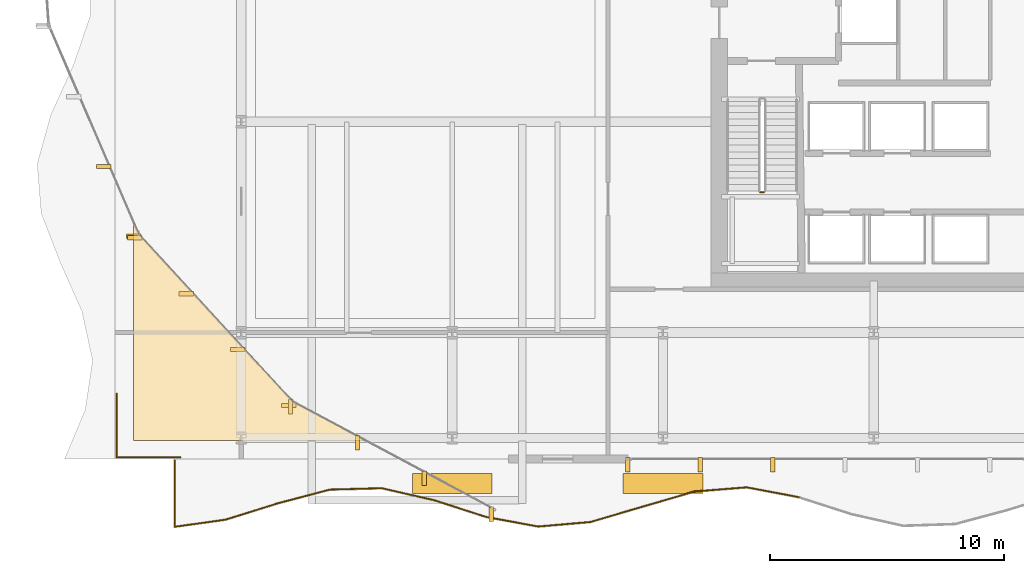
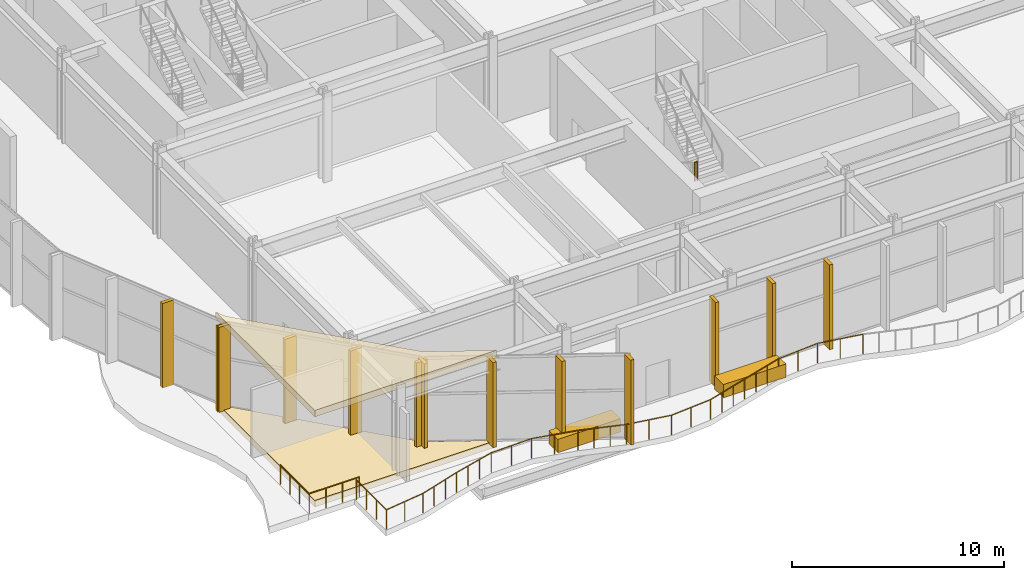
# One storey, part 25 of 31: 17 coverings, 16 railings.
"""IFC4 building model written with IfcOpenShell, lengths in metres."""

from ifc_helpers import new_model, si_unit, direction, frame, origin, origin_2d, place, context, subcontext, project, spatial, polyline, rectangle, circle, outline, extrude, material, layer, layer_set, type_object, element, save


model = new_model("IFC4")

# Units and contexts
model_context = context("Model", 3, precision=1e-05, world=origin(), true_north=direction((0.0, 1.0)))
body_context = subcontext(model_context, "Body", "Model", "MODEL_VIEW")
ifc_project = project(units=[si_unit("LENGTHUNIT", "METRE"), si_unit("AREAUNIT", "SQUARE_METRE"), si_unit("VOLUMEUNIT", "CUBIC_METRE"), si_unit("PLANEANGLEUNIT", "RADIAN"), si_unit("MASSUNIT", "GRAM", prefix="KILO")], contexts=[model_context])

# Site, building, storey
site_placement = place(None, origin())
site = spatial("IfcSite", under=ifc_project, at=site_placement, CompositionType="ELEMENT")
building_placement = place(site_placement, origin())
building = spatial("IfcBuilding", under=site, at=building_placement, Name="Solvaryn Broadcast Tower", CompositionType="ELEMENT")
storey_placement = place(building_placement, frame((0.0, 0.0, 11.0)))
storey = spatial("IfcBuildingStorey", under=building, at=storey_placement, Name="L02", CompositionType="ELEMENT", Elevation=11.0)

# Coverings
ifc_material_1 = material(Name="Glazed Architectural Terracotta Rainscreen Cladding", Category="masonry")
ifc_layer_1 = layer(ifc_material_1, 0.280029296875)
ifc_layer_set_1 = layer_set([ifc_layer_1], Name="CV-TC-CLAD")
covering_type_1 = type_object("IfcCoveringType", Name="CV-TC-CLAD", PredefinedType="CLADDING", material=ifc_layer_set_1)
for number, where, z_axis, x_axis, name in (
    (1, (18.0, 2.550048828125, 0.0), (0.0, 0.0, 1.0), (1.0, 0.0, 0.0), "L02 Sky-Garden Planter Bed 1"),
    (2, (27.0, 2.550048828125, 0.0), (0.0, 0.0, 1.0), (1.0, 0.0, 0.0), "L02 Sky-Garden Planter Bed 2"),
):
    element("IfcCovering", number, at=place(storey_placement, frame(where, z_axis=z_axis, x_axis=x_axis)), inside=storey, type_object=covering_type_1, Name=name, PredefinedType="CLADDING", context=body_context, shape_type="SweptSolid", body=[
        extrude(rectangle(XDim=3.39990234375, YDim=0.85009765625, at=origin_2d()), origin(), (0.0, 0.0, 1.0), 0.760009765625),
    ])
ifc_material_2 = material(Name="Extruded Architectural Terracotta Fin", Category="masonry")
ifc_layer_2 = layer(ifc_material_2, 0.179931640625)
ifc_layer_set_2 = layer_set([ifc_layer_2], Name="CV-TC-FIN")
covering_type_2 = type_object("IfcCoveringType", Name="CV-TC-FIN", PredefinedType="USERDEFINED", material=ifc_layer_set_2)
for number, where, z_axis, x_axis, name in (
    (3, (31.681884765625, 3.35009765625, 0.0), (0.0, 0.0, 1.0), (1.0, 0.0, 0.0), "L02 Terracotta Vertical Fin FIN-POD-L02-S1-09"),
    (4, (28.5908203125, 3.35009765625, 0.0), (0.0, 0.0, 1.0), (1.0, 0.0, 0.0), "L02 Terracotta Vertical Fin FIN-POD-L02-S1-10"),
    (5, (25.5, 3.35009765625, 0.0), (0.0, 0.0, 1.0), (1.0, 0.0, 0.0), "L02 Terracotta Vertical Fin FIN-POD-L02-S1-11"),
):
    element("IfcCovering", number, at=place(storey_placement, frame(where, z_axis=z_axis, x_axis=x_axis)), inside=storey, type_object=covering_type_2, Name=name, ObjectType="FIN", PredefinedType="USERDEFINED", context=body_context, shape_type="SweptSolid", body=[
        extrude(rectangle(XDim=0.179931640625, YDim=0.6201171875, at=origin_2d()), origin(), (0.0, 0.0, 1.0), 4.8798828125),
    ])
for number, where, z_axis, x_axis, name in (
    (6, (3.125732421875, 16.0927734375, 0.0), (0.0, 0.0, 1.0), (1.0, 0.0, 0.0), "L02 Terracotta Vertical Fin FIN-POD-L02-DC2-02"),
    (7, (4.407958984375, 13.114990234375, 0.0), (0.0, 0.0, 1.0), (1.0, 0.0, 0.0), "L02 Terracotta Vertical Fin FIN-POD-L02-DC2-03"),
    (8, (4.450927734375, 13.048095703125, 0.0), (0.0, 0.0, 1.0), (1.0, 0.0, 0.0), "L02 Terracotta Vertical Fin FIN-POD-L02-DC3-00"),
    (9, (6.644287109375, 10.66064453125, 0.0), (0.0, 0.0, 1.0), (1.0, 0.0, 0.0), "L02 Terracotta Vertical Fin FIN-POD-L02-DC3-01"),
    (10, (8.837646484375, 8.273193359375, 0.0), (0.0, 0.0, 1.0), (1.0, 0.0, 0.0), "L02 Terracotta Vertical Fin FIN-POD-L02-DC3-02"),
    (11, (11.031005859375, 5.885986328125, 0.0), (0.0, 0.0, 1.0), (1.0, 0.0, 0.0), "L02 Terracotta Vertical Fin FIN-POD-L02-DC3-03"),
):
    element("IfcCovering", number, at=place(storey_placement, frame(where, z_axis=z_axis, x_axis=x_axis)), inside=storey, type_object=covering_type_2, Name=name, ObjectType="FIN", PredefinedType="USERDEFINED", context=body_context, shape_type="SweptSolid", body=[
        extrude(rectangle(XDim=0.6201171875, YDim=0.179931640625, at=origin_2d()), origin(), (0.0, 0.0, 1.0), 4.8798828125),
    ])
for number, where, z_axis, x_axis, name in (
    (12, (11.094970703125, 5.8359375, 0.0), (0.0, 0.0, 1.0), (1.0, 0.0, 0.0), "L02 Terracotta Vertical Fin FIN-POD-L02-DC4-00"),
    (13, (13.95361328125, 4.306884765625, 0.0), (0.0, 0.0, 1.0), (1.0, 0.0, 0.0), "L02 Terracotta Vertical Fin FIN-POD-L02-DC4-01"),
    (14, (16.812255859375, 2.778076171875, 0.0), (0.0, 0.0, 1.0), (1.0, 0.0, 0.0), "L02 Terracotta Vertical Fin FIN-POD-L02-DC4-02"),
    (15, (19.6708984375, 1.2490234375, 0.0), (0.0, 0.0, 1.0), (1.0, 0.0, 0.0), "L02 Terracotta Vertical Fin FIN-POD-L02-DC4-03"),
):
    element("IfcCovering", number, at=place(storey_placement, frame(where, z_axis=z_axis, x_axis=x_axis)), inside=storey, type_object=covering_type_2, Name=name, ObjectType="FIN", PredefinedType="USERDEFINED", context=body_context, shape_type="SweptSolid", body=[
        extrude(rectangle(XDim=0.179931640625, YDim=0.6201171875, at=origin_2d()), origin(), (0.0, 0.0, 1.0), 4.8798828125),
    ])
ifc_material_3 = material(Name="Sculpted Architectural Terracotta Wave Fascia", Category="masonry")
ifc_layer_3 = layer(ifc_material_3, 0.340087890625)
ifc_layer_set_3 = layer_set([ifc_layer_3], Name="CV-WAVE-TRAY")
covering_type_3 = type_object("IfcCoveringType", Name="CV-WAVE-TRAY", PredefinedType="CLADDING", material=ifc_layer_set_3)
covering_1_placement = place(storey_placement, frame((0.0, 0.0, -0.340087890625)))
element("IfcCovering", 16, at=covering_1_placement, inside=storey, type_object=covering_type_3, Name="L02 Curved Studio Drum Deck Apron", PredefinedType="CLADDING", context=body_context, shape_type="SweptSolid", body=[
    extrude(outline(polyline([(4.39990234375, 32.10009765625), (0.10009765625, 31.844970703125), (0.781005859375, 22.14306640625), (4.6279296875, 13.2099609375), (11.2080078125, 6.048095703125), (19.783935546875, 1.4609375), (21.10009765625, 4.39990234375), (4.39990234375, 4.39990234375), (4.39990234375, 32.10009765625)])), origin(), (0.0, 0.0, 1.0), 0.380126953125),
])
covering_2_placement = place(storey_placement, frame((0.0, 0.0, 4.840087890625)))
element("IfcCovering", 17, at=covering_2_placement, inside=storey, type_object=covering_type_3, Name="L02 Curved Studio Drum Ceiling Soffit", PredefinedType="CLADDING", context=body_context, shape_type="SweptSolid", body=[
    extrude(outline(polyline([(4.39990234375, 32.10009765625), (0.10009765625, 31.844970703125), (0.781005859375, 22.14306640625), (4.6279296875, 13.2099609375), (11.2080078125, 6.048095703125), (19.783935546875, 1.4609375), (21.10009765625, 4.39990234375), (4.39990234375, 4.39990234375), (4.39990234375, 32.10009765625)])), origin(), (0.0, 0.0, 1.0), 0.3798828125),
])

# Railings
ifc_material_4 = material(Name="Painted Steel Stair Well Guard", Category="steel")
railing_type_1 = type_object("IfcRailingType", Name="RL-STAIR-GUARD", PredefinedType="BALUSTRADE", material=ifc_material_4)
railing_1_placement = place(storey_placement, frame((31.159912109375, 14.989990234375, 2.60009765625)))
element("IfcRailing", 18, at=railing_1_placement, inside=storey, type_object=railing_type_1, Name="L02 ST3 stair guard 2", PredefinedType="BALUSTRADE", context=body_context, shape_type="SweptSolid", body=[
    extrude(circle(Radius=0.02392578125, at=origin_2d()), frame((0.0, 0.0, 1.076171875), z_axis=(1.0, 0.0, 0.0), x_axis=(0.0, 1.0, 0.0)), (0.0, 0.0, 1.0), 0.150146484375),
    extrude(circle(Radius=0.02099609375, at=origin_2d()), origin(), (0.0, 0.0, 1.0), 1.052001953125),
    extrude(circle(Radius=0.02099609375, at=origin_2d()), frame((0.150146484375, 0.0, 0.0)), (0.0, 0.0, 1.0), 1.052001953125),
])
ifc_material_5 = material(Name="Stainless Steel and Laminated Glass Guard", Category="steel")
railing_type_2 = type_object("IfcRailingType", Name="RL-TER-1150", PredefinedType="BALUSTRADE", material=ifc_material_5)
railing_2_placement = place(storey_placement, frame((3.679931640625, 6.39990234375, 0.0)))
element("IfcRailing", 19, at=railing_2_placement, inside=storey, type_object=railing_type_2, Name="L02 Podium SW Corner Balustrade 1", PredefinedType="BALUSTRADE", context=body_context, shape_type="SweptSolid", body=[
    extrude(circle(Radius=0.02392578125, at=origin_2d()), frame((0.0, 0.0, 1.1259765625), z_axis=(0.0, -1.0, 0.0), x_axis=(1.0, 0.0, 0.0)), (0.0, 0.0, 1.0), 2.719970703125),
    extrude(circle(Radius=0.02099609375, at=origin_2d()), origin(), (0.0, 0.0, 1.0), 1.101806640625),
    extrude(circle(Radius=0.02099609375, at=origin_2d()), frame((0.0, -0.90673828125, 0.0)), (0.0, 0.0, 1.0), 1.101806640625),
    extrude(circle(Radius=0.02099609375, at=origin_2d()), frame((0.0, -1.813232421875, 0.0)), (0.0, 0.0, 1.0), 1.101806640625),
    extrude(circle(Radius=0.02099609375, at=origin_2d()), frame((0.0, -2.719970703125, 0.0)), (0.0, 0.0, 1.0), 1.101806640625),
])
railing_3_placement = place(storey_placement, frame((3.679931640625, 3.679931640625, 0.0)))
element("IfcRailing", 20, at=railing_3_placement, inside=storey, type_object=railing_type_2, Name="L02 Podium SW Corner Balustrade 2", PredefinedType="BALUSTRADE", context=body_context, shape_type="SweptSolid", body=[
    extrude(circle(Radius=0.02392578125, at=origin_2d()), frame((0.0, 0.0, 1.1259765625), z_axis=(1.0, 0.0, 0.0), x_axis=(0.0, 1.0, 0.0)), (0.0, 0.0, 1.0), 2.719970703125),
    extrude(circle(Radius=0.02099609375, at=origin_2d()), origin(), (0.0, 0.0, 1.0), 1.101806640625),
    extrude(circle(Radius=0.02099609375, at=origin_2d()), frame((0.90673828125, 0.0, 0.0)), (0.0, 0.0, 1.0), 1.101806640625),
    extrude(circle(Radius=0.02099609375, at=origin_2d()), frame((1.813232421875, 0.0, 0.0)), (0.0, 0.0, 1.0), 1.101806640625),
    extrude(circle(Radius=0.02099609375, at=origin_2d()), frame((2.719970703125, 0.0, 0.0)), (0.0, 0.0, 1.0), 1.101806640625),
])
railing_4_placement = place(storey_placement, frame((6.159912109375, 3.5400390625, 0.0)))
element("IfcRailing", 21, at=railing_4_placement, inside=storey, type_object=railing_type_2, Name="L02 Terrace Guard TS02S-1", PredefinedType="BALUSTRADE", context=body_context, shape_type="SweptSolid", body=[
    extrude(circle(Radius=0.02392578125, at=origin_2d()), frame((0.0, 0.0, 1.1259765625), z_axis=(0.0, -1.0, 0.0), x_axis=(1.0, 0.0, 0.0)), (0.0, 0.0, 1.0), 2.830078125),
    extrude(circle(Radius=0.02099609375, at=origin_2d()), origin(), (0.0, 0.0, 1.0), 1.101806640625),
    extrude(circle(Radius=0.02099609375, at=origin_2d()), frame((0.0, -0.943359375, 0.0)), (0.0, 0.0, 1.0), 1.101806640625),
    extrude(circle(Radius=0.02099609375, at=origin_2d()), frame((0.0, -1.88671875, 0.0)), (0.0, 0.0, 1.0), 1.101806640625),
    extrude(circle(Radius=0.02099609375, at=origin_2d()), frame((0.0, -2.830078125, 0.0)), (0.0, 0.0, 1.0), 1.101806640625),
])
railing_5_placement = place(storey_placement, frame((6.159912109375, 0.7099609375, 0.0)))
element("IfcRailing", 22, at=railing_5_placement, inside=storey, type_object=railing_type_2, Name="L02 Terrace Guard TS02S-2", PredefinedType="BALUSTRADE", context=body_context, shape_type="SweptSolid", body=[
    extrude(circle(Radius=0.02392578125, at=origin_2d()), frame((0.0, 0.0, 1.1259765625), z_axis=(0.990257541225, 0.139247987585, 0.0), x_axis=(-0.139247987585, 0.990257541225, 0.0)), (0.0, 0.0, 1.0), 2.186279296875),
    extrude(circle(Radius=0.02099609375, at=origin_2d()), origin(), (0.0, 0.0, 1.0), 1.101806640625),
    extrude(circle(Radius=0.02099609375, at=origin_2d()), frame((1.08251953125, 0.15234375, 0.0)), (0.0, 0.0, 1.0), 1.101806640625),
    extrude(circle(Radius=0.02099609375, at=origin_2d()), frame((2.1650390625, 0.304443359375, 0.0)), (0.0, 0.0, 1.0), 1.101806640625),
])
railing_6_placement = place(storey_placement, frame((8.324951171875, 1.014404296875, 0.0)))
element("IfcRailing", 23, at=railing_6_placement, inside=storey, type_object=railing_type_2, Name="L02 Terrace Guard TS02S-3", PredefinedType="BALUSTRADE", context=body_context, shape_type="SweptSolid", body=[
    extrude(circle(Radius=0.02392578125, at=origin_2d()), frame((0.0, 0.0, 1.1259765625), z_axis=(0.954513515567, 0.298167651834, 0.0), x_axis=(-0.298167651834, 0.954513515567, 0.0)), (0.0, 0.0, 1.0), 2.3310546875),
    extrude(circle(Radius=0.02099609375, at=origin_2d()), origin(), (0.0, 0.0, 1.0), 1.101806640625),
    extrude(circle(Radius=0.02099609375, at=origin_2d()), frame((0.74169921875, 0.231689453125, 0.0)), (0.0, 0.0, 1.0), 1.101806640625),
    extrude(circle(Radius=0.02099609375, at=origin_2d()), frame((1.4833984375, 0.46337890625, 0.0)), (0.0, 0.0, 1.0), 1.101806640625),
    extrude(circle(Radius=0.02099609375, at=origin_2d()), frame((2.22509765625, 0.695068359375, 0.0)), (0.0, 0.0, 1.0), 1.101806640625),
])
railing_7_placement = place(storey_placement, frame((10.550048828125, 1.70947265625, 0.0)))
element("IfcRailing", 24, at=railing_7_placement, inside=storey, type_object=railing_type_2, Name="L02 Terrace Guard TS02S-4", PredefinedType="BALUSTRADE", context=body_context, shape_type="SweptSolid", body=[
    extrude(circle(Radius=0.02392578125, at=origin_2d()), frame((0.0, 0.0, 1.1259765625), z_axis=(0.966790851209, 0.255568875295, 0.0), x_axis=(-0.255568875295, 0.966790851209, 0.0)), (0.0, 0.0, 1.0), 2.30126953125),
    extrude(circle(Radius=0.02099609375, at=origin_2d()), origin(), (0.0, 0.0, 1.0), 1.101806640625),
    extrude(circle(Radius=0.02099609375, at=origin_2d()), frame((0.74169921875, 0.196044921875, 0.0)), (0.0, 0.0, 1.0), 1.101806640625),
    extrude(circle(Radius=0.02099609375, at=origin_2d()), frame((1.483154296875, 0.39208984375, 0.0)), (0.0, 0.0, 1.0), 1.101806640625),
    extrude(circle(Radius=0.02099609375, at=origin_2d()), frame((2.224853515625, 0.588134765625, 0.0)), (0.0, 0.0, 1.0), 1.101806640625),
])
railing_8_placement = place(storey_placement, frame((12.77490234375, 2.297607421875, 0.0)))
element("IfcRailing", 25, at=railing_8_placement, inside=storey, type_object=railing_type_2, Name="L02 Terrace Guard TS02S-5", PredefinedType="BALUSTRADE", context=body_context, shape_type="SweptSolid", body=[
    extrude(circle(Radius=0.02392578125, at=origin_2d()), frame((0.0, 0.0, 1.1259765625), z_axis=(0.999638882257, 0.026872012964, 0.0), x_axis=(-0.026872012964, 0.999638882257, 0.0)), (0.0, 0.0, 1.0), 2.225830078125),
    extrude(circle(Radius=0.02099609375, at=origin_2d()), origin(), (0.0, 0.0, 1.0), 1.101806640625),
    extrude(circle(Radius=0.02099609375, at=origin_2d()), frame((1.112548828125, 0.02978515625, 0.0)), (0.0, 0.0, 1.0), 1.101806640625),
    extrude(circle(Radius=0.02099609375, at=origin_2d()), frame((2.22509765625, 0.059814453125, 0.0)), (0.0, 0.0, 1.0), 1.101806640625),
])
railing_9_placement = place(storey_placement, frame((15.0, 2.357421875, 0.0)))
element("IfcRailing", 26, at=railing_9_placement, inside=storey, type_object=railing_type_2, Name="L02 Terrace Guard TS02S-6", PredefinedType="BALUSTRADE", context=body_context, shape_type="SweptSolid", body=[
    extrude(circle(Radius=0.02392578125, at=origin_2d()), frame((0.0, 0.0, 1.1259765625), z_axis=(0.97463035073, -0.22382064122, 0.0), x_axis=(0.22382064122, 0.97463035073, 0.0)), (0.0, 0.0, 1.0), 2.282958984375),
    extrude(circle(Radius=0.02099609375, at=origin_2d()), origin(), (0.0, 0.0, 1.0), 1.101806640625),
    extrude(circle(Radius=0.02099609375, at=origin_2d()), frame((1.112548828125, -0.25537109375, 0.0)), (0.0, 0.0, 1.0), 1.101806640625),
    extrude(circle(Radius=0.02099609375, at=origin_2d()), frame((2.22509765625, -0.510986328125, 0.0)), (0.0, 0.0, 1.0), 1.101806640625),
])
railing_10_placement = place(storey_placement, frame((17.22509765625, 1.846435546875, 0.0)))
element("IfcRailing", 27, at=railing_10_placement, inside=storey, type_object=railing_type_2, Name="L02 Terrace Guard TS02S-7", PredefinedType="BALUSTRADE", context=body_context, shape_type="SweptSolid", body=[
    extrude(circle(Radius=0.02392578125, at=origin_2d()), frame((0.0, 0.0, 1.1259765625), z_axis=(0.951881734403, -0.306465599554, 0.0), x_axis=(0.306465599554, 0.951881734403, 0.0)), (0.0, 0.0, 1.0), 2.33740234375),
    extrude(circle(Radius=0.02099609375, at=origin_2d()), origin(), (0.0, 0.0, 1.0), 1.101806640625),
    extrude(circle(Radius=0.02099609375, at=origin_2d()), frame((0.74169921875, -0.23876953125, 0.0)), (0.0, 0.0, 1.0), 1.101806640625),
    extrude(circle(Radius=0.02099609375, at=origin_2d()), frame((1.483154296875, -0.4775390625, 0.0)), (0.0, 0.0, 1.0), 1.101806640625),
    extrude(circle(Radius=0.02099609375, at=origin_2d()), frame((2.224853515625, -0.71630859375, 0.0)), (0.0, 0.0, 1.0), 1.101806640625),
])
railing_11_placement = place(storey_placement, frame((19.449951171875, 1.130126953125, 0.0)))
element("IfcRailing", 28, at=railing_11_placement, inside=storey, type_object=railing_type_2, Name="L02 Terrace Guard TS02S-8", PredefinedType="BALUSTRADE", context=body_context, shape_type="SweptSolid", body=[
    extrude(circle(Radius=0.02392578125, at=origin_2d()), frame((0.0, 0.0, 1.1259765625), z_axis=(0.983566335518, -0.180547123033, 0.0), x_axis=(0.180547123033, 0.983566335518, 0.0)), (0.0, 0.0, 1.0), 2.26220703125),
    extrude(circle(Radius=0.02099609375, at=origin_2d()), origin(), (0.0, 0.0, 1.0), 1.101806640625),
    extrude(circle(Radius=0.02099609375, at=origin_2d()), frame((1.112548828125, -0.2041015625, 0.0)), (0.0, 0.0, 1.0), 1.101806640625),
    extrude(circle(Radius=0.02099609375, at=origin_2d()), frame((2.22509765625, -0.408447265625, 0.0)), (0.0, 0.0, 1.0), 1.101806640625),
])
railing_12_placement = place(storey_placement, frame((21.675048828125, 0.7216796875, 0.0)))
element("IfcRailing", 29, at=railing_12_placement, inside=storey, type_object=railing_type_2, Name="L02 Terrace Guard TS02S-9", PredefinedType="BALUSTRADE", context=body_context, shape_type="SweptSolid", body=[
    extrude(circle(Radius=0.02392578125, at=origin_2d()), frame((0.0, 0.0, 1.1259765625), z_axis=(0.996291692473, 0.086039894873, 0.0), x_axis=(-0.086039894873, 0.996291692473, 0.0)), (0.0, 0.0, 1.0), 2.233154296875),
    extrude(circle(Radius=0.02099609375, at=origin_2d()), origin(), (0.0, 0.0, 1.0), 1.101806640625),
    extrude(circle(Radius=0.02099609375, at=origin_2d()), frame((1.1123046875, 0.09619140625, 0.0)), (0.0, 0.0, 1.0), 1.101806640625),
    extrude(circle(Radius=0.02099609375, at=origin_2d()), frame((2.224853515625, 0.192138671875, 0.0)), (0.0, 0.0, 1.0), 1.101806640625),
])
railing_13_placement = place(storey_placement, frame((23.89990234375, 0.913818359375, 0.0)))
element("IfcRailing", 30, at=railing_13_placement, inside=storey, type_object=railing_type_2, Name="L02 Terrace Guard TS02S-10", PredefinedType="BALUSTRADE", context=body_context, shape_type="SweptSolid", body=[
    extrude(circle(Radius=0.02392578125, at=origin_2d()), frame((0.0, 0.0, 1.1259765625), z_axis=(0.959353767767, 0.282206215864, 0.0), x_axis=(-0.282206215864, 0.959353767767, 0.0)), (0.0, 0.0, 1.0), 2.3193359375),
    extrude(circle(Radius=0.02099609375, at=origin_2d()), origin(), (0.0, 0.0, 1.0), 1.101806640625),
    extrude(circle(Radius=0.02099609375, at=origin_2d()), frame((0.74169921875, 0.21826171875, 0.0)), (0.0, 0.0, 1.0), 1.101806640625),
    extrude(circle(Radius=0.02099609375, at=origin_2d()), frame((1.4833984375, 0.436279296875, 0.0)), (0.0, 0.0, 1.0), 1.101806640625),
    extrude(circle(Radius=0.02099609375, at=origin_2d()), frame((2.22509765625, 0.654541015625, 0.0)), (0.0, 0.0, 1.0), 1.101806640625),
])
railing_14_placement = place(storey_placement, frame((26.125, 1.568359375, 0.0)))
element("IfcRailing", 31, at=railing_14_placement, inside=storey, type_object=railing_type_2, Name="L02 Terrace Guard TS02S-11", PredefinedType="BALUSTRADE", context=body_context, shape_type="SweptSolid", body=[
    extrude(circle(Radius=0.02392578125, at=origin_2d()), frame((0.0, 0.0, 1.1259765625), z_axis=(0.96003538534, 0.279878650302, 0.0), x_axis=(-0.279878650302, 0.96003538534, 0.0)), (0.0, 0.0, 1.0), 2.317626953125),
    extrude(circle(Radius=0.02099609375, at=origin_2d()), origin(), (0.0, 0.0, 1.0), 1.101806640625),
    extrude(circle(Radius=0.02099609375, at=origin_2d()), frame((0.74169921875, 0.21630859375, 0.0)), (0.0, 0.0, 1.0), 1.101806640625),
    extrude(circle(Radius=0.02099609375, at=origin_2d()), frame((1.4833984375, 0.432373046875, 0.0)), (0.0, 0.0, 1.0), 1.101806640625),
    extrude(circle(Radius=0.02099609375, at=origin_2d()), frame((2.22509765625, 0.648681640625, 0.0)), (0.0, 0.0, 1.0), 1.101806640625),
])
railing_15_placement = place(storey_placement, frame((28.35009765625, 2.217041015625, 0.0)))
element("IfcRailing", 32, at=railing_15_placement, inside=storey, type_object=railing_type_2, Name="L02 Terrace Guard TS02S-12", PredefinedType="BALUSTRADE", context=body_context, shape_type="SweptSolid", body=[
    extrude(circle(Radius=0.02392578125, at=origin_2d()), frame((0.0, 0.0, 1.1259765625), z_axis=(0.996806925886, 0.079849561714, 0.0), x_axis=(-0.079849561714, 0.996806925886, 0.0)), (0.0, 0.0, 1.0), 2.23193359375),
    extrude(circle(Radius=0.02099609375, at=origin_2d()), origin(), (0.0, 0.0, 1.0), 1.101806640625),
    extrude(circle(Radius=0.02099609375, at=origin_2d()), frame((1.1123046875, 0.089111328125, 0.0)), (0.0, 0.0, 1.0), 1.101806640625),
    extrude(circle(Radius=0.02099609375, at=origin_2d()), frame((2.224853515625, 0.17822265625, 0.0)), (0.0, 0.0, 1.0), 1.101806640625),
])
railing_16_placement = place(storey_placement, frame((30.574951171875, 2.395263671875, 0.0)))
element("IfcRailing", 33, at=railing_16_placement, inside=storey, type_object=railing_type_2, Name="L02 Terrace Guard TS02S-13", PredefinedType="BALUSTRADE", context=body_context, shape_type="SweptSolid", body=[
    extrude(circle(Radius=0.02392578125, at=origin_2d()), frame((0.0, 0.0, 1.1259765625), z_axis=(0.982654240236, -0.185447146501, 0.0), x_axis=(0.185447146501, 0.982654240236, 0.0)), (0.0, 0.0, 1.0), 2.264404296875),
    extrude(circle(Radius=0.02099609375, at=origin_2d()), origin(), (0.0, 0.0, 1.0), 1.101806640625),
    extrude(circle(Radius=0.02099609375, at=origin_2d()), frame((1.112548828125, -0.2099609375, 0.0)), (0.0, 0.0, 1.0), 1.101806640625),
    extrude(circle(Radius=0.02099609375, at=origin_2d()), frame((2.22509765625, -0.419921875, 0.0)), (0.0, 0.0, 1.0), 1.101806640625),
])

save(model, "model.ifc")
